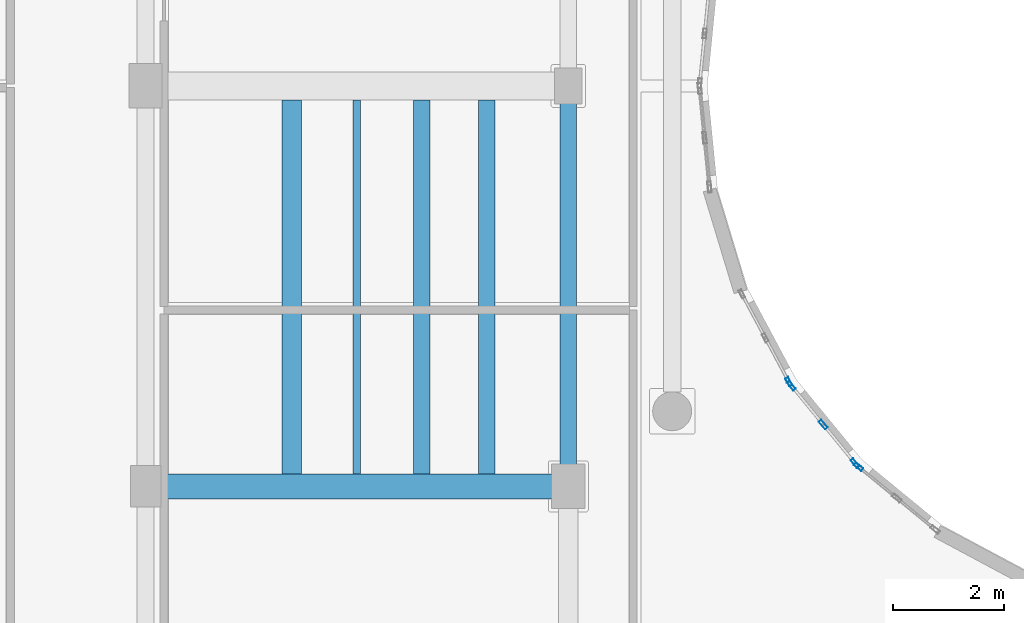
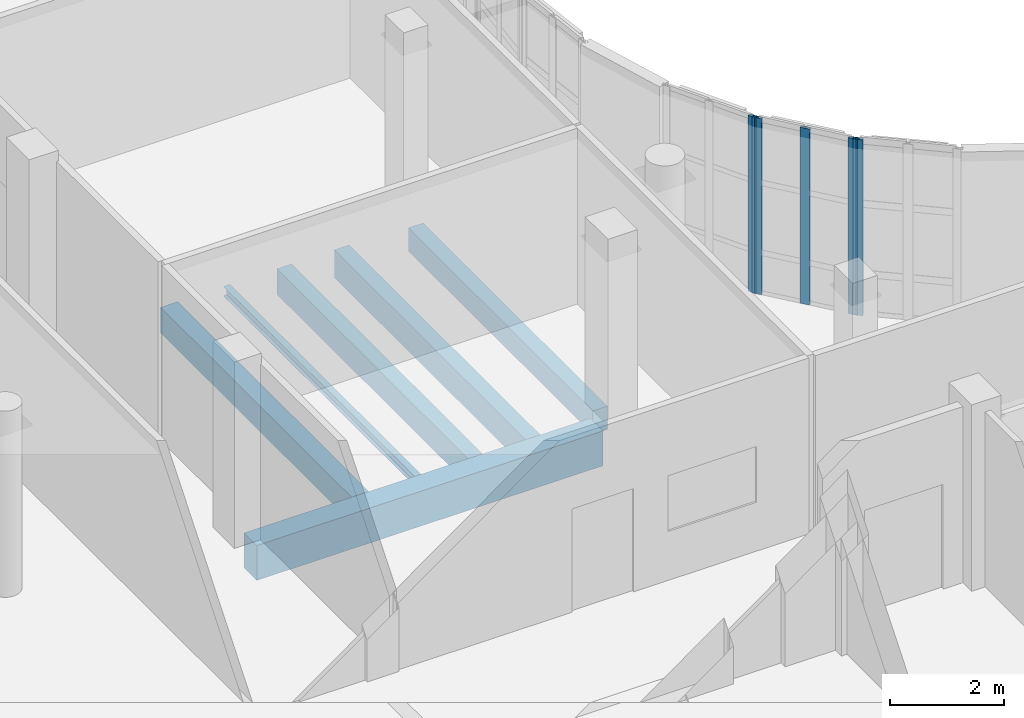
# One storey, part 33 of 105: 6 beams, 5 members, 3 elements without a shape of their own.
"""IFC4 building model written with IfcOpenShell, lengths in metres."""

from ifc_helpers import new_model, si_unit, direction, frame, origin, origin_2d, place, context, subcontext, project, spatial, rectangle, hollow_rectangle, i_section, extrude, material, layer, layer_set, material_profile, profile_set, type_object, element, aggregate, save


model = new_model("IFC4")

# Units and contexts
model_context = context("Model", 3, precision=1e-05, world=origin(), true_north=direction((0.0, 1.0)))
body_context = subcontext(model_context, "Body", "Model", "MODEL_VIEW")
ifc_project = project(units=[si_unit("LENGTHUNIT", "METRE"), si_unit("AREAUNIT", "SQUARE_METRE"), si_unit("VOLUMEUNIT", "CUBIC_METRE"), si_unit("PLANEANGLEUNIT", "RADIAN"), si_unit("MASSUNIT", "GRAM", prefix="KILO")], contexts=[model_context])

# Site, building, storey
site_placement = place(None, origin())
site = spatial("IfcSite", under=ifc_project, at=site_placement, CompositionType="ELEMENT")
building_placement = place(site_placement, origin())
building = spatial("IfcBuilding", under=site, at=building_placement, Name="Kelanivale Promenade Academy", CompositionType="ELEMENT")
storey_placement = place(building_placement, frame((0.0, 0.0, 4.199951171875)))
storey = spatial("IfcBuildingStorey", under=building, at=storey_placement, Name="L01", CompositionType="ELEMENT", Elevation=4.199951171875)

# Beam
ifc_material_1 = material(Name="Concrete C35/45", Category="concrete")
ifc_material_profile_1 = material_profile(ifc_material_1, rectangle(XDim=0.449951171875, YDim=0.75, at=origin_2d()), Name="RC-BM 450x750")
ifc_profile_set_1 = profile_set([ifc_material_profile_1], Name="Concrete C35/45")
beam_type_1 = type_object("IfcBeamType", Name="BM-04 RC-BM 450x750", PredefinedType="BEAM", material=ifc_profile_set_1)
beam_1_placement = place(storey_placement, frame((79.469970703125, 49.60009765625, -0.594970703125), z_axis=(1.0, 0.0, 0.0), x_axis=(0.0, 1.0, 0.0)))
element("IfcBeam", 1, at=beam_1_placement, inside=storey, type_object=beam_type_1, Name="L01 girder BM-04", PredefinedType="BEAM", context=body_context, shape_type="SweptSolid", body=[
    extrude(rectangle(XDim=0.449951171875, YDim=0.75, at=origin_2d()), origin(), (0.0, 0.0, 1.0), 7.034912109375),
])

# Curtain wall, member
ifc_material_2 = material(Name="Bronze anodised aluminium and solar-control low-E glass", Category="aluminium")
ifc_layer_1 = layer(ifc_material_2, 0.179931640625)
ifc_layer_set_1 = layer_set([ifc_layer_1], Name="Bronze anodised aluminium and solar-control low-E glass")
curtain_wall_type_1 = type_object("IfcCurtainWallType", Name="CW-17 Curtain Wall 1950mm Module", PredefinedType="USERDEFINED", material=ifc_layer_set_1)
curtain_wall_1_placement = place(storey_placement, origin())
curtain_wall_1 = element("IfcCurtainWall", 2, at=curtain_wall_1_placement, inside=storey, type_object=curtain_wall_type_1, Name="L01 courtyard curtain wall CW-17", ObjectType="COURTYARD SCREEN GLAZING", PredefinedType="USERDEFINED")
ifc_material_3 = material(Name="Bronze anodised aluminium EN AW-6063 T6", Category="aluminium")
ifc_material_profile_2 = material_profile(ifc_material_3, hollow_rectangle(XDim=0.06005859375, YDim=0.159912109375, WallThickness=0.00390625, at=origin_2d()), Name="ALU 60x160x4.0")
ifc_profile_set_2 = profile_set([ifc_material_profile_2], Name="Bronze anodised aluminium EN AW-6063 T6")
member_type_1 = type_object("IfcMemberType", Name="CWM-01 ALU 60x160x4.0", PredefinedType="MULLION", material=ifc_profile_set_2)
member_1_placement = place(storey_placement, frame((90.763916015625, 51.482421875, 0.0), z_axis=(0.0, 0.0, 1.0), x_axis=(0.881978204448, 0.471290193914, 0.0)))
member_1 = element("IfcMember", 3, at=member_1_placement, type_object=member_type_1, Name="CW-17 mullion 3", PredefinedType="MULLION", context=body_context, shape_type="SweptSolid", body=[
    extrude(hollow_rectangle(XDim=0.06005859375, YDim=0.159912109375, WallThickness=0.00390625, at=origin_2d()), origin(), (0.0, 0.0, 1.0), 3.780029296875),
])
aggregate(curtain_wall_1, [member_1])

# Curtain wall, members
ifc_layer_2 = layer(ifc_material_2, 0.159912109375)
ifc_layer_set_2 = layer_set([ifc_layer_2], Name="Bronze anodised aluminium and solar-control low-E glass")
curtain_wall_type_2 = type_object("IfcCurtainWallType", Name="CW-18 Curtain Wall 1200mm Module", PredefinedType="USERDEFINED", material=ifc_layer_set_2)
curtain_wall_2_placement = place(storey_placement, origin())
curtain_wall_2 = element("IfcCurtainWall", 4, at=curtain_wall_2_placement, inside=storey, type_object=curtain_wall_type_2, Name="L01 courtyard curtain wall CW-18", ObjectType="COURTYARD SCREEN GLAZING", PredefinedType="USERDEFINED")
ifc_material_profile_3 = material_profile(ifc_material_3, hollow_rectangle(XDim=0.06005859375, YDim=0.179931640625, WallThickness=0.00390625, at=origin_2d()), Name="ALU 60x180x4.0")
ifc_profile_set_3 = profile_set([ifc_material_profile_3], Name="Bronze anodised aluminium EN AW-6063 T6")
member_type_2 = type_object("IfcMemberType", Name="CWM-02 ALU 60x180x4.0", PredefinedType="MULLION", material=ifc_profile_set_3)
member_2_placement = place(storey_placement, frame((90.81201171875, 51.409912109375, 0.0), z_axis=(0.0, 0.0, 1.0), x_axis=(0.773215132597, 0.634143799719, 0.0)))
member_2 = element("IfcMember", 5, at=member_2_placement, type_object=member_type_2, Name="CW-18 mullion 1", PredefinedType="MULLION", context=body_context, shape_type="SweptSolid", body=[
    extrude(hollow_rectangle(XDim=0.06005859375, YDim=0.179931640625, WallThickness=0.00390625, at=origin_2d()), origin(), (0.0, 0.0, 1.0), 3.780029296875),
])
member_3_placement = place(storey_placement, frame((91.383544921875, 50.712890625, 0.0), z_axis=(0.0, 0.0, 1.0), x_axis=(0.773215132597, 0.634143799719, 0.0)))
member_3 = element("IfcMember", 6, at=member_3_placement, type_object=member_type_2, Name="CW-18 mullion 2", PredefinedType="MULLION", context=body_context, shape_type="SweptSolid", body=[
    extrude(hollow_rectangle(XDim=0.06005859375, YDim=0.179931640625, WallThickness=0.00390625, at=origin_2d()), origin(), (0.0, 0.0, 1.0), 3.780029296875),
])
member_4_placement = place(storey_placement, frame((91.955078125, 50.01611328125, 0.0), z_axis=(0.0, 0.0, 1.0), x_axis=(0.773215132597, 0.634143799719, 0.0)))
member_4 = element("IfcMember", 7, at=member_4_placement, type_object=member_type_2, Name="CW-18 mullion 3", PredefinedType="MULLION", context=body_context, shape_type="SweptSolid", body=[
    extrude(hollow_rectangle(XDim=0.06005859375, YDim=0.179931640625, WallThickness=0.00390625, at=origin_2d()), origin(), (0.0, 0.0, 1.0), 3.780029296875),
])
aggregate(curtain_wall_2, [member_2, member_3, member_4])

# Curtain wall, member
ifc_layer_3 = layer(ifc_material_2, 0.169921875)
ifc_layer_set_3 = layer_set([ifc_layer_3], Name="Bronze anodised aluminium and solar-control low-E glass")
curtain_wall_type_3 = type_object("IfcCurtainWallType", Name="CW-19 Curtain Wall 1350mm Module", PredefinedType="USERDEFINED", material=ifc_layer_set_3)
curtain_wall_3_placement = place(storey_placement, origin())
curtain_wall_3 = element("IfcCurtainWall", 8, at=curtain_wall_3_placement, inside=storey, type_object=curtain_wall_type_3, Name="L01 courtyard curtain wall CW-19", ObjectType="COURTYARD SCREEN GLAZING", PredefinedType="USERDEFINED")
ifc_material_profile_4 = material_profile(ifc_material_3, hollow_rectangle(XDim=0.06494140625, YDim=0.175048828125, WallThickness=0.00390625, at=origin_2d()), Name="ALU 65x175x4.0")
ifc_profile_set_4 = profile_set([ifc_material_profile_4], Name="Bronze anodised aluminium EN AW-6063 T6")
member_type_3 = type_object("IfcMemberType", Name="CWM-03 ALU 65x175x4.0", PredefinedType="MULLION", material=ifc_profile_set_4)
member_5_placement = place(storey_placement, frame((92.01806640625, 49.953369140625, 0.0), z_axis=(0.0, 0.0, 1.0), x_axis=(0.634092539482, 0.773257170269, 0.0)))
member_5 = element("IfcMember", 9, at=member_5_placement, type_object=member_type_3, Name="CW-19 mullion 1", PredefinedType="MULLION", context=body_context, shape_type="SweptSolid", body=[
    extrude(hollow_rectangle(XDim=0.06494140625, YDim=0.175048828125, WallThickness=0.00390625, at=origin_2d()), origin(), (0.0, 0.0, 1.0), 3.780029296875),
])
aggregate(curtain_wall_3, [member_5])

# Beams
ifc_material_profile_5 = material_profile(ifc_material_1, rectangle(XDim=0.300048828125, YDim=0.5, at=origin_2d()), Name="RC-BM 300x500")
ifc_profile_set_5 = profile_set([ifc_material_profile_5], Name="Concrete C35/45")
beam_type_2 = type_object("IfcBeamType", Name="JS-01 RC-BM 300x500", PredefinedType="JOIST", material=ifc_profile_set_5)
beam_2_placement = place(storey_placement, frame((86.800048828125, 49.9951171875, -0.469970703125), z_axis=(0.0, 1.0, 0.0), x_axis=(-1.0, 0.0, 0.0)))
element("IfcBeam", 10, at=beam_2_placement, inside=storey, type_object=beam_type_2, Name="L01 beam JS-01", PredefinedType="JOIST", context=body_context, shape_type="SweptSolid", body=[
    extrude(rectangle(XDim=0.300048828125, YDim=0.5, at=origin_2d()), origin(), (0.0, 0.0, 1.0), 6.48486328125),
])
ifc_material_profile_6 = material_profile(ifc_material_1, rectangle(XDim=0.300048828125, YDim=0.550048828125, at=origin_2d()), Name="RC-BM 300x550")
ifc_profile_set_6 = profile_set([ifc_material_profile_6], Name="Concrete C35/45")
beam_type_3 = type_object("IfcBeamType", Name="JS-02 RC-BM 300x550", PredefinedType="JOIST", material=ifc_profile_set_6)
beam_3_placement = place(storey_placement, frame((84.16796875, 49.824951171875, -0.494873046875), z_axis=(0.0, 1.0, 0.0), x_axis=(-1.0, 0.0, 0.0)))
element("IfcBeam", 11, at=beam_3_placement, inside=storey, type_object=beam_type_3, Name="L01 secondary sub-beam JS-02", PredefinedType="JOIST", context=body_context, shape_type="SweptSolid", body=[
    extrude(rectangle(XDim=0.300048828125, YDim=0.550048828125, at=origin_2d()), origin(), (0.0, 0.0, 1.0), 6.72509765625),
])
ifc_material_profile_7 = material_profile(ifc_material_1, rectangle(XDim=0.300048828125, YDim=0.60009765625, at=origin_2d()), Name="RC-BM 300x600")
ifc_profile_set_7 = profile_set([ifc_material_profile_7], Name="Concrete C35/45")
beam_type_4 = type_object("IfcBeamType", Name="JS-03 RC-BM 300x600", PredefinedType="JOIST", material=ifc_profile_set_7)
beam_4_placement = place(storey_placement, frame((85.3369140625, 49.824951171875, -0.52001953125), z_axis=(0.0, 1.0, 0.0), x_axis=(-1.0, 0.0, 0.0)))
element("IfcBeam", 12, at=beam_4_placement, inside=storey, type_object=beam_type_4, Name="L01 secondary sub-beam JS-03", PredefinedType="JOIST", context=body_context, shape_type="SweptSolid", body=[
    extrude(rectangle(XDim=0.300048828125, YDim=0.60009765625, at=origin_2d()), origin(), (0.0, 0.0, 1.0), 6.72509765625),
])
ifc_material_profile_8 = material_profile(ifc_material_1, rectangle(XDim=0.35009765625, YDim=0.550048828125, at=origin_2d()), Name="RC-BM 350x550")
ifc_profile_set_8 = profile_set([ifc_material_profile_8], Name="Concrete C35/45")
beam_type_5 = type_object("IfcBeamType", Name="JS-06 RC-BM 350x550", PredefinedType="JOIST", material=ifc_profile_set_8)
beam_5_placement = place(storey_placement, frame((81.83203125, 49.824951171875, -0.494873046875), z_axis=(0.0, 1.0, 0.0), x_axis=(-1.0, 0.0, 0.0)))
element("IfcBeam", 13, at=beam_5_placement, inside=storey, type_object=beam_type_5, Name="L01 secondary sub-beam JS-06", PredefinedType="JOIST", context=body_context, shape_type="SweptSolid", body=[
    extrude(rectangle(XDim=0.35009765625, YDim=0.550048828125, at=origin_2d()), origin(), (0.0, 0.0, 1.0), 6.72509765625),
])
ifc_material_4 = material(Name="Steel S355", Category="steel")
ifc_material_profile_9 = material_profile(ifc_material_4, i_section(OverallWidth=0.13330078125, OverallDepth=0.203125, WebThickness=0.005615234375, FlangeThickness=0.0078125, FilletRadius=0.007568359375, at=origin_2d()), Name="UB 203x133x25")
ifc_profile_set_9 = profile_set([ifc_material_profile_9], Name="Steel S355")
beam_type_6 = type_object("IfcBeamType", Name="SB-01 UB 203x133x25", PredefinedType="JOIST", material=ifc_profile_set_9)
beam_6_placement = place(storey_placement, frame((83.0, 49.824951171875, -0.322021484375), z_axis=(0.0, 1.0, 0.0), x_axis=(-1.0, 0.0, 0.0)))
element("IfcBeam", 14, at=beam_6_placement, inside=storey, type_object=beam_type_6, Name="L01 secondary sub-beam SB-01", PredefinedType="JOIST", context=body_context, shape_type="SweptSolid", body=[
    extrude(i_section(OverallWidth=0.13330078125, OverallDepth=0.203125, WebThickness=0.005615234375, FlangeThickness=0.0078125, FilletRadius=0.007568359375, at=origin_2d()), origin(), (0.0, 0.0, 1.0), 6.72509765625),
])

save(model, "model.ifc")
